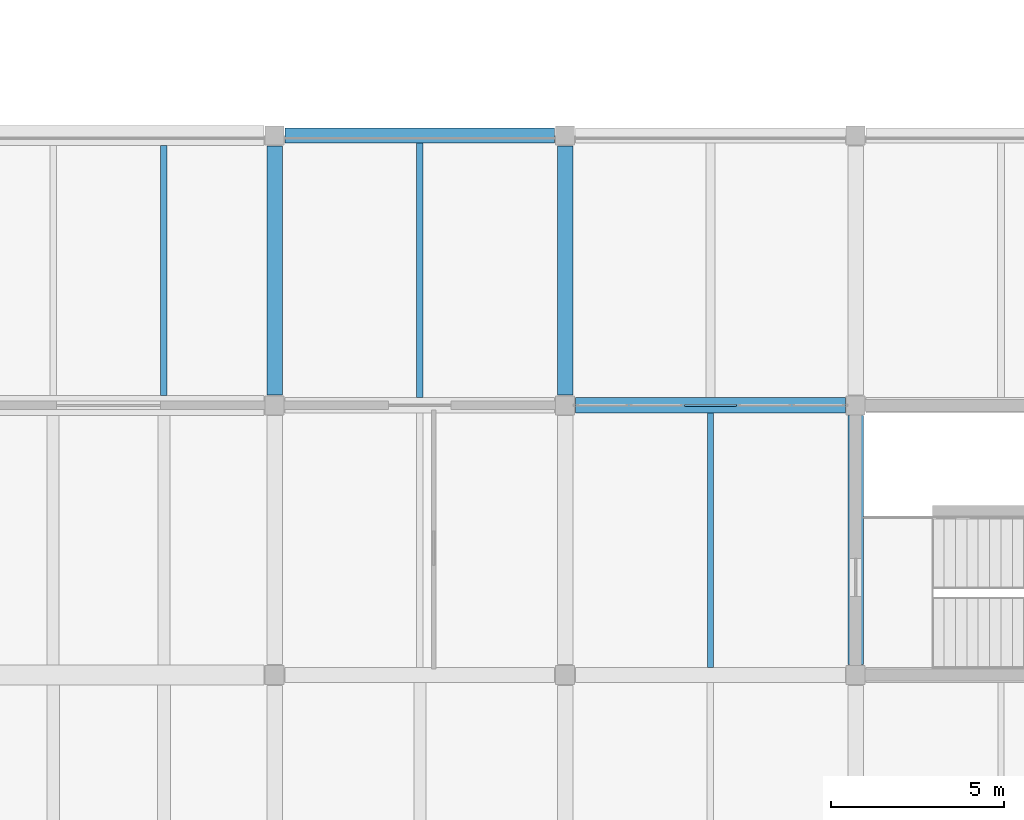
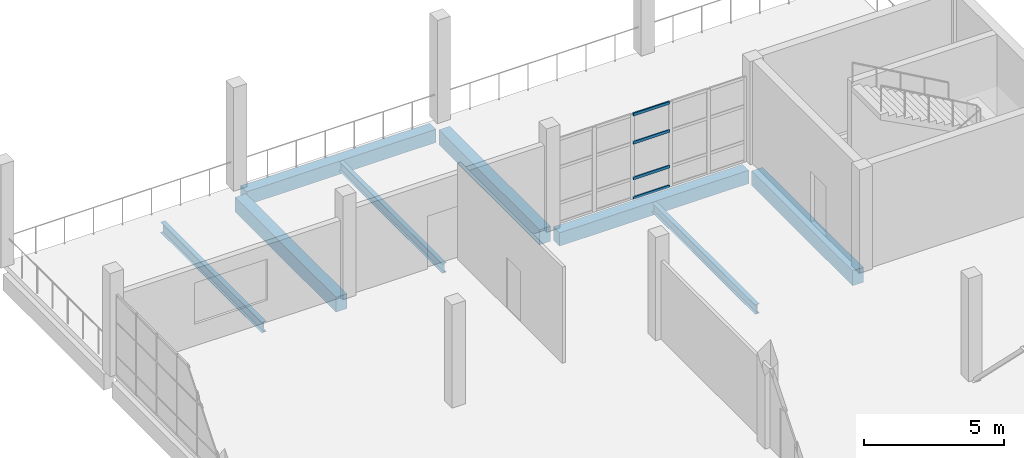
# One storey, part 27 of 67: 8 beams, 4 members, 1 element without a shape of its own.
"""IFC4 building model written with IfcOpenShell, lengths in metres."""

from ifc_helpers import new_model, si_unit, direction, frame, origin, origin_2d, place, context, subcontext, project, spatial, rectangle, hollow_rectangle, i_section, extrude, material, material_profile, profile_set, type_object, element, aggregate, save


model = new_model("IFC4")

# Units and contexts
model_context = context("Model", 3, precision=1e-05, world=origin(), true_north=direction((0.0, 1.0)))
body_context = subcontext(model_context, "Body", "Model", "MODEL_VIEW")
ifc_project = project(units=[si_unit("LENGTHUNIT", "METRE"), si_unit("AREAUNIT", "SQUARE_METRE"), si_unit("VOLUMEUNIT", "CUBIC_METRE"), si_unit("PLANEANGLEUNIT", "RADIAN"), si_unit("MASSUNIT", "GRAM", prefix="KILO")], contexts=[model_context])

# Site, building, storey
site_placement = place(None, origin())
site = spatial("IfcSite", under=ifc_project, at=site_placement, CompositionType="ELEMENT")
building_placement = place(site_placement, origin())
building = spatial("IfcBuilding", under=site, at=building_placement, Name="Pellamere Symphony Hall", CompositionType="ELEMENT")
storey_placement = place(building_placement, frame((0.0, 0.0, 19.5)))
storey = spatial("IfcBuildingStorey", under=building, at=storey_placement, Name="L04", CompositionType="ELEMENT", Elevation=19.5)

# Curtain wall, members
ifc_material_1 = material(Name="Thermally Broken Anodised Aluminium 6063-T6 Curtain Wall", Category="aluminium")
curtain_wall_type = type_object("IfcCurtainWallType", Name="Curtain Wall CW-05 (Artists Wing North Studio Ribbon Curtain Wall)", PredefinedType="NOTDEFINED", material=ifc_material_1)
curtain_wall_placement = place(storey_placement, origin())
curtain_wall = element("IfcCurtainWall", 1, at=curtain_wall_placement, inside=storey, type_object=curtain_wall_type, Name="Artists Wing North Studio Curtain Wall (L04 Bay 2)", PredefinedType="NOTDEFINED")
ifc_material_2 = material(Name="Anodised Architectural Aluminium 6063-T6", Category="aluminium")
ifc_material_profile_1 = material_profile(ifc_material_2, hollow_rectangle(XDim=0.06005859375, YDim=0.1201171875, WallThickness=0.00390625, at=origin_2d()), Name="ALU-T60X120X4")
ifc_profile_set_1 = profile_set([ifc_material_profile_1], Name="Anodised Architectural Aluminium 6063-T6")
member_type = type_object("IfcMemberType", Name="Curtain Wall Transom TR-03 ALU-T60X120X4", PredefinedType="USERDEFINED", material=ifc_profile_set_1)
member_1_placement = place(storey_placement, frame((159.445068359375, 77.39990234375, 0.030029296875), z_axis=(1.0, 0.0, 0.0), x_axis=(0.0, 1.0, 0.0)))
member_1 = element("IfcMember", 2, at=member_1_placement, type_object=member_type, Name="CW5-145 crystal transom 3.1", ObjectType="TRANSOM", PredefinedType="USERDEFINED", context=body_context, shape_type="SweptSolid", body=[
    extrude(hollow_rectangle(XDim=0.06005859375, YDim=0.1201171875, WallThickness=0.00390625, at=origin_2d()), origin(), (0.0, 0.0, 1.0), 1.510009765625),
])
member_2_placement = place(storey_placement, frame((159.445068359375, 77.39990234375, 0.887939453125), z_axis=(1.0, 0.0, 0.0), x_axis=(0.0, 1.0, 0.0)))
member_2 = element("IfcMember", 3, at=member_2_placement, type_object=member_type, Name="CW5-145 crystal transom 3.2", ObjectType="TRANSOM", PredefinedType="USERDEFINED", context=body_context, shape_type="SweptSolid", body=[
    extrude(hollow_rectangle(XDim=0.06005859375, YDim=0.1201171875, WallThickness=0.00390625, at=origin_2d()), origin(), (0.0, 0.0, 1.0), 1.510009765625),
])
member_3_placement = place(storey_placement, frame((159.445068359375, 77.39990234375, 2.44189453125), z_axis=(1.0, 0.0, 0.0), x_axis=(0.0, 1.0, 0.0)))
member_3 = element("IfcMember", 4, at=member_3_placement, type_object=member_type, Name="CW5-145 crystal transom 3.3", ObjectType="TRANSOM", PredefinedType="USERDEFINED", context=body_context, shape_type="SweptSolid", body=[
    extrude(hollow_rectangle(XDim=0.06005859375, YDim=0.1201171875, WallThickness=0.00390625, at=origin_2d()), origin(), (0.0, 0.0, 1.0), 1.510009765625),
])
member_4_placement = place(storey_placement, frame((159.445068359375, 77.39990234375, 3.669921875), z_axis=(1.0, 0.0, 0.0), x_axis=(0.0, 1.0, 0.0)))
member_4 = element("IfcMember", 5, at=member_4_placement, type_object=member_type, Name="CW5-145 crystal transom 3.4", ObjectType="TRANSOM", PredefinedType="USERDEFINED", context=body_context, shape_type="SweptSolid", body=[
    extrude(hollow_rectangle(XDim=0.06005859375, YDim=0.1201171875, WallThickness=0.00390625, at=origin_2d()), origin(), (0.0, 0.0, 1.0), 1.510009765625),
])
aggregate(curtain_wall, [member_1, member_2, member_3, member_4])

# Beams
ifc_material_3 = material(Name="Concrete 40 MPa", Category="concrete")
ifc_material_profile_2 = material_profile(ifc_material_3, rectangle(XDim=0.449951171875, YDim=0.64990234375, at=origin_2d()), Name="RC 450x650")
ifc_profile_set_2 = profile_set([ifc_material_profile_2], Name="Concrete 40 MPa")
beam_type_1 = type_object("IfcBeamType", Name="RC CB-08 450x650", PredefinedType="BEAM", material=ifc_profile_set_2)
for number, where, z_axis, x_axis, name in (
    (6, (147.60009765625, 77.699951171875, -0.5849609375), (0.0, 1.0, 0.0), (-1.0, 0.0, 0.0), "Girder CB-08-Y1922 (L04)"),
    (7, (156.0, 77.699951171875, -0.5849609375), (0.0, 1.0, 0.0), (-1.0, 0.0, 0.0), "Girder CB-08-Y1929 (L04)"),
):
    element("IfcBeam", number, at=place(storey_placement, frame(where, z_axis=z_axis, x_axis=x_axis)), inside=storey, type_object=beam_type_1, Name=name, PredefinedType="BEAM", context=body_context, shape_type="SweptSolid", body=[
        extrude(rectangle(XDim=0.449951171875, YDim=0.64990234375, at=origin_2d()), origin(), (0.0, 0.0, 1.0), 7.199951171875),
    ])
beam_1_placement = place(storey_placement, frame((164.39990234375, 69.89990234375, -0.5849609375), z_axis=(0.0, 1.0, 0.0), x_axis=(-1.0, 0.0, 0.0)))
element("IfcBeam", 8, at=beam_1_placement, inside=storey, type_object=beam_type_1, Name="Girder CB-08-Y1935 (L04)", PredefinedType="BEAM", context=body_context, shape_type="SweptSolid", body=[
    extrude(rectangle(XDim=0.449951171875, YDim=0.64990234375, at=origin_2d()), origin(), (0.0, 0.0, 1.0), 7.2001953125),
])
ifc_material_profile_3 = material_profile(ifc_material_3, rectangle(XDim=0.43994140625, YDim=0.580078125, at=origin_2d()), Name="RC 440x580")
ifc_profile_set_3 = profile_set([ifc_material_profile_3], Name="Concrete 40 MPa")
beam_type_2 = type_object("IfcBeamType", Name="RC CB-20 440x580", PredefinedType="BEAM", material=ifc_profile_set_3)
for number, where, z_axis, x_axis, name in (
    (9, (156.300048828125, 77.39990234375, -0.550048828125), (1.0, 0.0, 0.0), (0.0, 1.0, 0.0), "Girder CB-20-X1862 (L04)"),
    (10, (147.89990234375, 85.199951171875, -0.550048828125), (1.0, 0.0, 0.0), (0.0, 1.0, 0.0), "Girder CB-20-X1866 (L04)"),
):
    element("IfcBeam", number, at=place(storey_placement, frame(where, z_axis=z_axis, x_axis=x_axis)), inside=storey, type_object=beam_type_2, Name=name, PredefinedType="BEAM", context=body_context, shape_type="SweptSolid", body=[
        extrude(rectangle(XDim=0.43994140625, YDim=0.580078125, at=origin_2d()), origin(), (0.0, 0.0, 1.0), 7.800048828125),
    ])
ifc_material_4 = material(Name="Steel CSA G40.21 350W", Category="steel")
ifc_material_profile_4 = material_profile(ifc_material_4, i_section(OverallWidth=0.19091796875, OverallDepth=0.4599609375, WebThickness=0.010009765625, FlangeThickness=0.014404296875, at=origin_2d()), Name="W460X82")
ifc_profile_set_4 = profile_set([ifc_material_profile_4], Name="Steel CSA G40.21 350W")
beam_type_3 = type_object("IfcBeamType", Name="Steel Joist SB-17 W460X82", PredefinedType="JOIST", material=ifc_profile_set_4)
beam_2_placement = place(storey_placement, frame((144.39990234375, 77.68994140625, -0.5048828125), z_axis=(0.0, 1.0, 0.0), x_axis=(-1.0, 0.0, 0.0)))
element("IfcBeam", 11, at=beam_2_placement, inside=storey, type_object=beam_type_3, Name="Secondary Floor Beam SB-17-B1710 (L04)", PredefinedType="JOIST", context=body_context, shape_type="SweptSolid", body=[
    extrude(i_section(OverallWidth=0.19091796875, OverallDepth=0.4599609375, WebThickness=0.010009765625, FlangeThickness=0.014404296875, at=origin_2d()), origin(), (0.0, 0.0, 1.0), 7.219970703125),
])
ifc_material_profile_5 = material_profile(ifc_material_4, i_section(OverallWidth=0.179931640625, OverallDepth=0.4130859375, WebThickness=0.009765625, FlangeThickness=0.01513671875, at=origin_2d()), Name="W410X74")
ifc_profile_set_5 = profile_set([ifc_material_profile_5], Name="Steel CSA G40.21 350W")
beam_type_4 = type_object("IfcBeamType", Name="Steel Joist SB-19 W410X74", PredefinedType="JOIST", material=ifc_profile_set_5)
for number, where, z_axis, x_axis, name in (
    (12, (151.800048828125, 77.6201171875, -0.4814453125), (0.0, 1.0, 0.0), (-1.0, 0.0, 0.0), "Secondary Floor Beam SB-19-M1810 (L04)"),
    (13, (160.199951171875, 69.820068359375, -0.4814453125), (0.0, 1.0, 0.0), (-1.0, 0.0, 0.0), "Secondary Floor Beam SB-19-M1909 (L04)"),
):
    element("IfcBeam", number, at=place(storey_placement, frame(where, z_axis=z_axis, x_axis=x_axis)), inside=storey, type_object=beam_type_4, Name=name, PredefinedType="JOIST", context=body_context, shape_type="SweptSolid", body=[
        extrude(i_section(OverallWidth=0.179931640625, OverallDepth=0.4130859375, WebThickness=0.009765625, FlangeThickness=0.01513671875, at=origin_2d()), origin(), (0.0, 0.0, 1.0), 7.35986328125),
    ])

save(model, "model.ifc")
